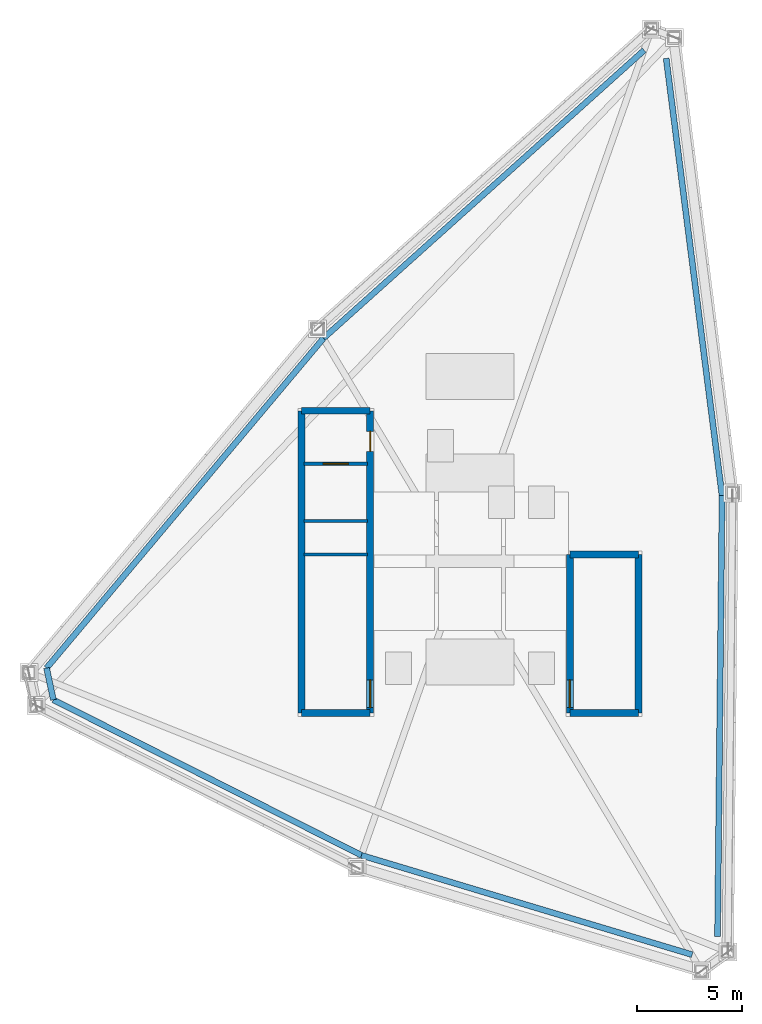
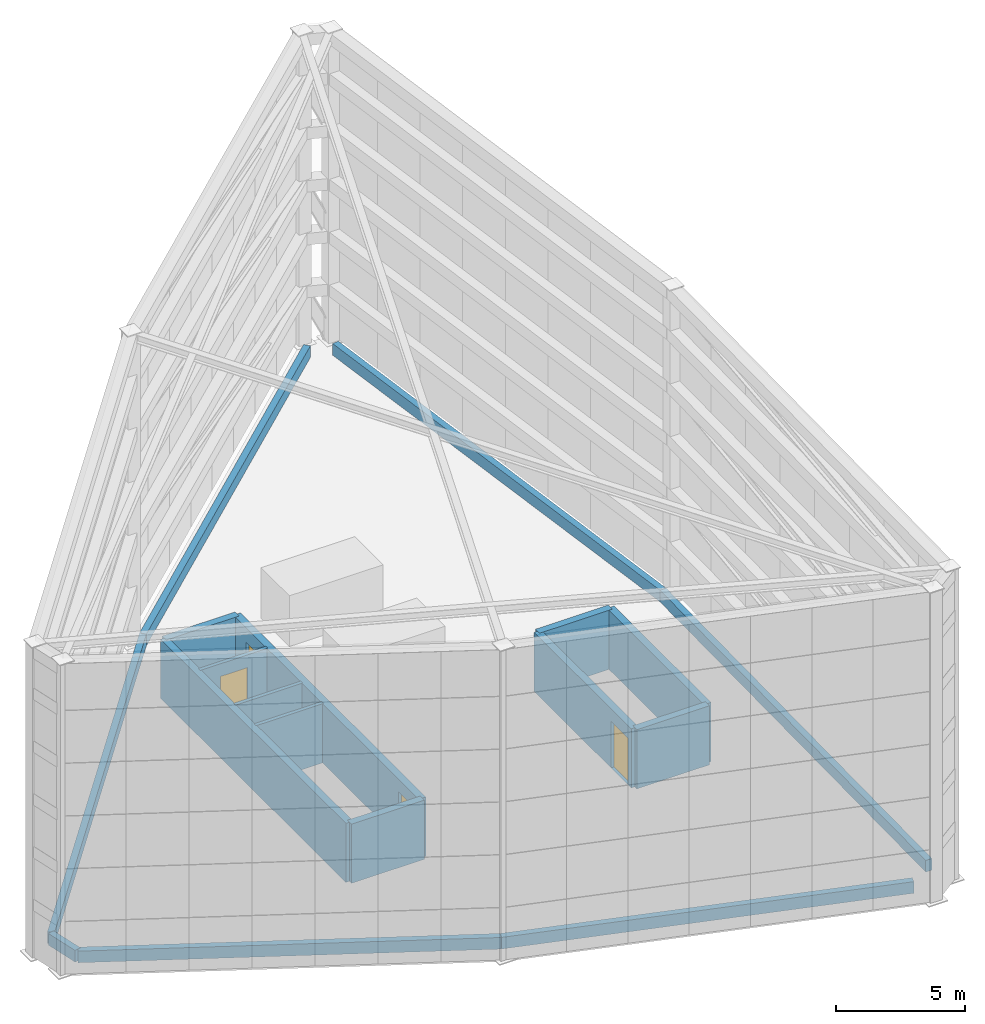
# One storey, part 8 of 9: 18 walls, 4 doors, 4 openings.
"""IFC4 building model written with IfcOpenShell, lengths in metres."""

from ifc_helpers import new_model, si_unit, direction, frame, frame_2d, origin, place, context, subcontext, project, spatial, rectangle, extrude, source, transform, mapped, material, layer, layer_set, type_object, type_shapes, element, fill, save


model = new_model("IFC4")

# Units and contexts
model_context = context("Model", 3, precision=1e-05, world=origin(), true_north=direction((0.0, 1.0)))
body_context = subcontext(model_context, "Body", "Model", "MODEL_VIEW")
ifc_project = project(units=[si_unit("LENGTHUNIT", "METRE"), si_unit("AREAUNIT", "SQUARE_METRE"), si_unit("VOLUMEUNIT", "CUBIC_METRE"), si_unit("PLANEANGLEUNIT", "RADIAN"), si_unit("MASSUNIT", "GRAM", prefix="KILO")], contexts=[model_context])

# Site, building, storey
site_placement = place(None, origin())
site = spatial("IfcSite", under=ifc_project, at=site_placement, CompositionType="ELEMENT")
building_placement = place(site_placement, origin())
building = spatial("IfcBuilding", under=site, at=building_placement, Name="Olszyna Solenne Hotel", CompositionType="ELEMENT")
storey_placement = place(building_placement, frame((0.0, 0.0, 295.0)))
storey = spatial("IfcBuildingStorey", under=building, at=storey_placement, Name="Roof Crown", CompositionType="ELEMENT", Elevation=295.0)

# Walls
ifc_material_1 = material(Name="Precast concrete C45/55", Category="concrete")
ifc_layer_1 = layer(ifc_material_1, 0.320068359375, Name="Precast concrete C45/55")
ifc_layer_set_1 = layer_set([ifc_layer_1], Name="Precast concrete C45/55")
wall_type_1 = type_object("IfcWallType", Name="WL-EX320", PredefinedType="SOLIDWALL", material=ifc_layer_set_1)
wall_1_placement = place(storey_placement, frame((29.97998046875, 33.760009765625, 0.0), z_axis=(0.0, 0.0, 1.0), x_axis=(0.0, -1.0, 0.0)))
element("IfcWall", 1, at=wall_1_placement, inside=storey, type_object=wall_type_1, Name="Stair and service lift headhouse wall HH-ST1-W", PredefinedType="SOLIDWALL", context=body_context, shape_type="SweptSolid", body=[
    extrude(rectangle(XDim=14.380126953125, YDim=0.320068359375, at=frame_2d((7.18994140625, 0.0))), origin(), (0.0, 0.0, 1.0), 2.800048828125),
])
wall_2_placement = place(storey_placement, frame((29.97998046875, 19.3798828125, 0.0), z_axis=(0.0, 0.0, 1.0), x_axis=(1.0, 0.0, 0.0)))
element("IfcWall", 2, at=wall_2_placement, inside=storey, type_object=wall_type_1, Name="Stair and service lift headhouse wall HH-ST1-S", PredefinedType="SOLIDWALL", context=body_context, shape_type="SweptSolid", body=[
    extrude(rectangle(XDim=3.260009765625, YDim=0.320068359375, at=frame_2d((1.6298828125, 0.0))), origin(), (0.0, 0.0, 1.0), 2.800048828125),
])

# Wall, openings, doors
wall_3_placement = place(storey_placement, frame((33.239990234375, 19.3798828125, 0.0), z_axis=(0.0, 0.0, 1.0), x_axis=(0.0, 1.0, 0.0)))
wall_3 = element("IfcWall", 3, at=wall_3_placement, inside=storey, type_object=wall_type_1, Name="Stair and service lift headhouse wall HH-ST1-E", PredefinedType="SOLIDWALL", context=body_context, shape_type="SweptSolid", body=[
    extrude(rectangle(XDim=14.380126953125, YDim=0.320068359375, at=frame_2d((7.18994140625, 0.0))), origin(), (0.0, 0.0, 1.0), 2.800048828125),
])
opening_1_placement = place(wall_3_placement, frame((0.25, 0.0, 0.0)))
opening_1 = element("IfcOpeningElement", 4, at=opening_1_placement, cuts=wall_3, Name="Opening STD-CRN-01", PredefinedType="OPENING", context=body_context, shape_type="SweptSolid", body=[
    extrude(rectangle(XDim=1.320068359375, YDim=2.199951171875, at=frame_2d((0.66015625, 1.10009765625))), frame((0.0, 0.169921875, 0.0), z_axis=(0.0, -1.0, 0.0), x_axis=(1.0, 0.0, 0.0)), (0.0, 0.0, 1.0), 0.340087890625),
])
opening_2_placement = place(wall_3_placement, frame((12.449951171875, 0.0, 0.0)))
opening_2 = element("IfcOpeningElement", 5, at=opening_2_placement, cuts=wall_3, Name="Opening STD-CRN-SVL", PredefinedType="OPENING", context=body_context, shape_type="SweptSolid", body=[
    extrude(rectangle(XDim=0.949951171875, YDim=2.10009765625, at=frame_2d((0.47509765625, 1.050048828125))), frame((0.0, 0.169921875, 0.0), z_axis=(0.0, -1.0, 0.0), x_axis=(1.0, 0.0, 0.0)), (0.0, 0.0, 1.0), 0.340087890625),
])
ifc_material_2 = material(Name="Steel S355J2", Category="steel")
door_type_1 = type_object("IfcDoorType", Name="DR-ST1", OperationType="NOTDEFINED", PredefinedType="DOOR", material=ifc_material_2)
shared_shape_1 = source(origin(), body_context, "Body", "SweptSolid", [
    extrude(rectangle(XDim=1.320068359375, YDim=2.199951171875, at=frame_2d((0.66015625, 1.10009765625))), frame((0.0, 0.02490234375, 0.0), z_axis=(0.0, -1.0, 0.0), x_axis=(1.0, 0.0, 0.0)), (0.0, 0.0, 1.0), 0.050048828125),
])
type_shapes(door_type_1, [shared_shape_1])
door_1_placement = place(opening_1_placement, origin())
door_1 = element("IfcDoor", 6, at=door_1_placement, inside=storey, type_object=door_type_1, Name="Roof Access Maintenance Door STD-CRN-01", OperationType="SINGLE_SWING_LEFT", OverallHeight=2.199951171875, OverallWidth=1.320068359375, PredefinedType="DOOR", context=body_context, shape_type="MappedRepresentation", body=[
    mapped(shared_shape_1, transform((0.0, 0.0, 0.0), x_axis=(1.0, 0.0, 0.0), y_axis=(0.0, 1.0, 0.0), z_axis=(0.0, 0.0, 1.0), scale=1.0)),
])
fill(opening_1, door_1)
door_type_2 = type_object("IfcDoorType", Name="DR-SV1", OperationType="NOTDEFINED", PredefinedType="DOOR", material=ifc_material_2)
shared_shape_2 = source(origin(), body_context, "Body", "SweptSolid", [
    extrude(rectangle(XDim=0.949951171875, YDim=2.10009765625, at=frame_2d((0.47509765625, 1.050048828125))), frame((0.0, 0.02490234375, 0.0), z_axis=(0.0, -1.0, 0.0), x_axis=(1.0, 0.0, 0.0)), (0.0, 0.0, 1.0), 0.050048828125),
])
type_shapes(door_type_2, [shared_shape_2])
door_2_placement = place(opening_2_placement, origin())
door_2 = element("IfcDoor", 7, at=door_2_placement, inside=storey, type_object=door_type_2, Name="Roof Access Maintenance Door STD-CRN-SVL", OperationType="SINGLE_SWING_LEFT", OverallHeight=2.10009765625, OverallWidth=0.949951171875, PredefinedType="DOOR", context=body_context, shape_type="MappedRepresentation", body=[
    mapped(shared_shape_2, transform((0.0, 0.0, 0.0), x_axis=(1.0, 0.0, 0.0), y_axis=(0.0, 1.0, 0.0), z_axis=(0.0, 0.0, 1.0), scale=1.0)),
])
fill(opening_2, door_2)

# Walls
wall_4_placement = place(storey_placement, frame((33.239990234375, 33.760009765625, 0.0), z_axis=(0.0, 0.0, 1.0), x_axis=(-1.0, 0.0, 0.0)))
element("IfcWall", 8, at=wall_4_placement, inside=storey, type_object=wall_type_1, Name="Stair and service lift headhouse wall HH-ST1-N", PredefinedType="SOLIDWALL", context=body_context, shape_type="SweptSolid", body=[
    extrude(rectangle(XDim=3.260009765625, YDim=0.320068359375, at=frame_2d((1.6298828125, 0.0))), origin(), (0.0, 0.0, 1.0), 2.800048828125),
])
wall_5_placement = place(storey_placement, frame((46.02001953125, 19.3798828125, 0.0), z_axis=(0.0, 0.0, 1.0), x_axis=(0.0, 1.0, 0.0)))
element("IfcWall", 9, at=wall_5_placement, inside=storey, type_object=wall_type_1, Name="Stair ST2 headhouse enclosure wall HH-ST2-E", PredefinedType="SOLIDWALL", context=body_context, shape_type="SweptSolid", body=[
    extrude(rectangle(XDim=7.5400390625, YDim=0.320068359375, at=frame_2d((3.77001953125, 0.0))), origin(), (0.0, 0.0, 1.0), 2.800048828125),
])
wall_6_placement = place(storey_placement, frame((46.02001953125, 26.919921875, 0.0), z_axis=(0.0, 0.0, 1.0), x_axis=(-1.0, 0.0, 0.0)))
element("IfcWall", 10, at=wall_6_placement, inside=storey, type_object=wall_type_1, Name="Stair ST2 headhouse enclosure wall HH-ST2-N", PredefinedType="SOLIDWALL", context=body_context, shape_type="SweptSolid", body=[
    extrude(rectangle(XDim=3.260009765625, YDim=0.320068359375, at=frame_2d((1.6298828125, 0.0))), origin(), (0.0, 0.0, 1.0), 2.800048828125),
])

# Wall, opening, door
wall_7_placement = place(storey_placement, frame((42.760009765625, 26.919921875, 0.0), z_axis=(0.0, 0.0, 1.0), x_axis=(0.0, -1.0, 0.0)))
wall_7 = element("IfcWall", 11, at=wall_7_placement, inside=storey, type_object=wall_type_1, Name="Stair ST2 headhouse enclosure wall HH-ST2-W", PredefinedType="SOLIDWALL", context=body_context, shape_type="SweptSolid", body=[
    extrude(rectangle(XDim=7.5400390625, YDim=0.320068359375, at=frame_2d((3.77001953125, 0.0))), origin(), (0.0, 0.0, 1.0), 2.800048828125),
])
opening_3_placement = place(wall_7_placement, frame((5.969970703125, 0.0, 0.0)))
opening_3 = element("IfcOpeningElement", 12, at=opening_3_placement, cuts=wall_7, Name="Opening STD-CRN-02", PredefinedType="OPENING", context=body_context, shape_type="SweptSolid", body=[
    extrude(rectangle(XDim=1.320068359375, YDim=2.199951171875, at=frame_2d((0.66015625, 1.10009765625))), frame((0.0, 0.169921875, 0.0), z_axis=(0.0, -1.0, 0.0), x_axis=(1.0, 0.0, 0.0)), (0.0, 0.0, 1.0), 0.340087890625),
])
door_3_placement = place(opening_3_placement, origin())
door_3 = element("IfcDoor", 13, at=door_3_placement, inside=storey, type_object=door_type_1, Name="Roof Access Maintenance Door STD-CRN-02", OperationType="SINGLE_SWING_RIGHT", OverallHeight=2.199951171875, OverallWidth=1.320068359375, PredefinedType="DOOR", context=body_context, shape_type="MappedRepresentation", body=[
    mapped(shared_shape_1, transform((0.0, 0.0, 0.0), x_axis=(1.0, 0.0, 0.0), y_axis=(0.0, 1.0, 0.0), z_axis=(0.0, 0.0, 1.0), scale=1.0)),
])
fill(opening_3, door_3)

# Walls
wall_8_placement = place(storey_placement, frame((42.760009765625, 19.3798828125, 0.0), z_axis=(0.0, 0.0, 1.0), x_axis=(1.0, 0.0, 0.0)))
element("IfcWall", 14, at=wall_8_placement, inside=storey, type_object=wall_type_1, Name="Stair ST2 headhouse enclosure wall HH-ST2-S", PredefinedType="SOLIDWALL", context=body_context, shape_type="SweptSolid", body=[
    extrude(rectangle(XDim=3.260009765625, YDim=0.320068359375, at=frame_2d((1.6298828125, 0.0))), origin(), (0.0, 0.0, 1.0), 2.800048828125),
])
ifc_material_3 = material(Name="Terracotta cladding on precast concrete C45/55", Category="masonry")
ifc_layer_2 = layer(ifc_material_3, 0.280029296875, Name="Terracotta cladding on precast concrete C45/55")
ifc_layer_set_2 = layer_set([ifc_layer_2], Name="Terracotta cladding on precast concrete C45/55")
wall_type_2 = type_object("IfcWallType", Name="WL-PR280", PredefinedType="PARAPET", material=ifc_layer_set_2)
wall_9_placement = place(storey_placement, frame((50.001953125, 29.726318359375, 0.0), z_axis=(0.0, 0.0, 1.0), x_axis=(-0.010214114348, -0.999947834573, 0.0)))
element("IfcWall", 15, at=wall_9_placement, inside=storey, type_object=wall_type_2, Name="Maintenance roof kerb parapet PR-CRN-01", PredefinedType="PARAPET", context=body_context, shape_type="SweptSolid", body=[
    extrude(rectangle(XDim=20.986083984375, YDim=0.280029296875, at=frame_2d((10.4931640625, 0.0))), origin(), (0.0, 0.0, 1.0), 0.550048828125),
])
wall_10_placement = place(storey_placement, frame((48.576171875, 7.8671875, 0.0), z_axis=(0.0, 0.0, 1.0), x_axis=(-0.957711729126, 0.287729463028, 0.0)))
element("IfcWall", 16, at=wall_10_placement, inside=storey, type_object=wall_type_2, Name="Maintenance roof kerb parapet PR-CRN-03", PredefinedType="PARAPET", context=body_context, shape_type="SweptSolid", body=[
    extrude(rectangle(XDim=16.434814453125, YDim=0.280029296875, at=frame_2d((8.21728515625, 0.0))), origin(), (0.0, 0.0, 1.0), 0.550048828125),
])
wall_11_placement = place(storey_placement, frame((32.83642578125, 12.595947265625, 0.0), z_axis=(0.0, 0.0, 1.0), x_axis=(-0.89277516327, 0.450502505929, 0.0)))
element("IfcWall", 17, at=wall_11_placement, inside=storey, type_object=wall_type_2, Name="Maintenance roof kerb parapet PR-CRN-04", PredefinedType="PARAPET", context=body_context, shape_type="SweptSolid", body=[
    extrude(rectangle(XDim=16.4345703125, YDim=0.280029296875, at=frame_2d((8.21728515625, 0.0))), origin(), (0.0, 0.0, 1.0), 0.550048828125),
])
wall_12_placement = place(storey_placement, frame((18.1640625, 19.999755859375, 0.0), z_axis=(0.0, 0.0, 1.0), x_axis=(-0.209690350708, 0.97776784403, 0.0)))
element("IfcWall", 18, at=wall_12_placement, inside=storey, type_object=wall_type_2, Name="Maintenance roof kerb parapet PR-CRN-05", PredefinedType="PARAPET", context=body_context, shape_type="SweptSolid", body=[
    extrude(rectangle(XDim=1.55078125, YDim=0.280029296875, at=frame_2d((0.775390625, 0.0))), origin(), (0.0, 0.0, 1.0), 0.550048828125),
])
wall_13_placement = place(storey_placement, frame((17.8388671875, 21.51611328125, 0.0), z_axis=(0.0, 0.0, 1.0), x_axis=(0.643074850026, 0.765803328057, 0.0)))
element("IfcWall", 19, at=wall_13_placement, inside=storey, type_object=wall_type_2, Name="Maintenance roof kerb parapet PR-CRN-06", PredefinedType="PARAPET", context=body_context, shape_type="SweptSolid", body=[
    extrude(rectangle(XDim=20.513427734375, YDim=0.280029296875, at=frame_2d((10.2568359375, 0.0))), origin(), (0.0, 0.0, 1.0), 0.550048828125),
])
wall_14_placement = place(storey_placement, frame((31.030517578125, 37.225341796875, 0.0), z_axis=(0.0, 0.0, 1.0), x_axis=(0.74397964162, 0.668202284384, 0.0)))
element("IfcWall", 20, at=wall_14_placement, inside=storey, type_object=wall_type_2, Name="Maintenance roof kerb parapet PR-CRN-07", PredefinedType="PARAPET", context=body_context, shape_type="SweptSolid", body=[
    extrude(rectangle(XDim=20.51318359375, YDim=0.280029296875, at=frame_2d((10.256591796875, 0.0))), origin(), (0.0, 0.0, 1.0), 0.550048828125),
])
wall_15_placement = place(storey_placement, frame((47.34130859375, 50.543212890625, 0.0), z_axis=(0.0, 0.0, 1.0), x_axis=(0.12678045045, -0.99193080272, 0.0)))
element("IfcWall", 21, at=wall_15_placement, inside=storey, type_object=wall_type_2, Name="Maintenance roof kerb parapet PR-CRN-09", PredefinedType="PARAPET", context=body_context, shape_type="SweptSolid", body=[
    extrude(rectangle(XDim=20.986328125, YDim=0.280029296875, at=frame_2d((10.4931640625, 0.0))), origin(), (0.0, 0.0, 1.0), 0.550048828125),
])
ifc_material_4 = material(Name="Acoustic gypsum partition", Category="gypsum")
ifc_layer_3 = layer(ifc_material_4, 0.159912109375, Name="Acoustic gypsum partition")
ifc_layer_set_3 = layer_set([ifc_layer_3], Name="Acoustic gypsum partition")
wall_type_3 = type_object("IfcWallType", Name="WL-PT160", PredefinedType="PARTITIONING", material=ifc_layer_set_3)
for number, where, z_axis, x_axis, name in (
    (22, (30.10009765625, 26.919921875, 0.0), (0.0, 0.0, 1.0), (1.0, 0.0, 0.0), "Stair and service lift headhouse wall HH-ST1-M1"),
    (23, (30.10009765625, 28.52001953125, 0.0), (0.0, 0.0, 1.0), (1.0, 0.0, 0.0), "Stair and service lift headhouse wall HH-ST1-M2"),
):
    element("IfcWall", number, at=place(storey_placement, frame(where, z_axis=z_axis, x_axis=x_axis)), inside=storey, type_object=wall_type_3, Name=name, PredefinedType="PARTITIONING", context=body_context, shape_type="SweptSolid", body=[
        extrude(rectangle(XDim=3.02001953125, YDim=0.159912109375, at=frame_2d((1.510009765625, 0.0))), origin(), (0.0, 0.0, 1.0), 2.800048828125),
    ])

# Wall, opening, door
wall_16_placement = place(storey_placement, frame((30.10009765625, 31.239990234375, 0.0), z_axis=(0.0, 0.0, 1.0), x_axis=(1.0, 0.0, 0.0)))
wall_16 = element("IfcWall", 24, at=wall_16_placement, inside=storey, type_object=wall_type_3, Name="Stair and service lift headhouse wall HH-ST1-M3", PredefinedType="PARTITIONING", context=body_context, shape_type="SweptSolid", body=[
    extrude(rectangle(XDim=3.02001953125, YDim=0.159912109375, at=frame_2d((1.510009765625, 0.0))), origin(), (0.0, 0.0, 1.0), 2.800048828125),
])
opening_4_placement = place(wall_16_placement, frame((0.909912109375, 0.0, 0.0)))
opening_4 = element("IfcOpeningElement", 25, at=opening_4_placement, cuts=wall_16, Name="Opening LD-CRN-SV1", PredefinedType="OPENING", context=body_context, shape_type="SweptSolid", body=[
    extrude(rectangle(XDim=1.199951171875, YDim=2.199951171875, at=frame_2d((0.60009765625, 1.10009765625))), frame((0.0, 0.08984375, 0.0), z_axis=(0.0, -1.0, 0.0), x_axis=(1.0, 0.0, 0.0)), (0.0, 0.0, 1.0), 0.179931640625),
])
door_type_3 = type_object("IfcDoorType", Name="LD-FF1", OperationType="DOUBLE_DOOR_SLIDING", PredefinedType="DOOR", material=ifc_material_2)
shared_shape_3 = source(origin(), body_context, "Body", "SweptSolid", [
    extrude(rectangle(XDim=1.199951171875, YDim=2.199951171875, at=frame_2d((0.60009765625, 1.10009765625))), frame((0.0, 0.02490234375, 0.0), z_axis=(0.0, -1.0, 0.0), x_axis=(1.0, 0.0, 0.0)), (0.0, 0.0, 1.0), 0.050048828125),
])
type_shapes(door_type_3, [shared_shape_3])
door_4_placement = place(opening_4_placement, origin())
door_4 = element("IfcDoor", 26, at=door_4_placement, inside=storey, type_object=door_type_3, Name="Service lift SV1 sliding landing door LD-CRN-SV1", OperationType="DOUBLE_DOOR_SLIDING", OverallHeight=2.199951171875, OverallWidth=1.199951171875, PredefinedType="DOOR", context=body_context, shape_type="MappedRepresentation", body=[
    mapped(shared_shape_3, transform((0.0, 0.0, 0.0), x_axis=(1.0, 0.0, 0.0), y_axis=(0.0, 1.0, 0.0), z_axis=(0.0, 0.0, 1.0), scale=1.0)),
])
fill(opening_4, door_4)

save(model, "model.ifc")
